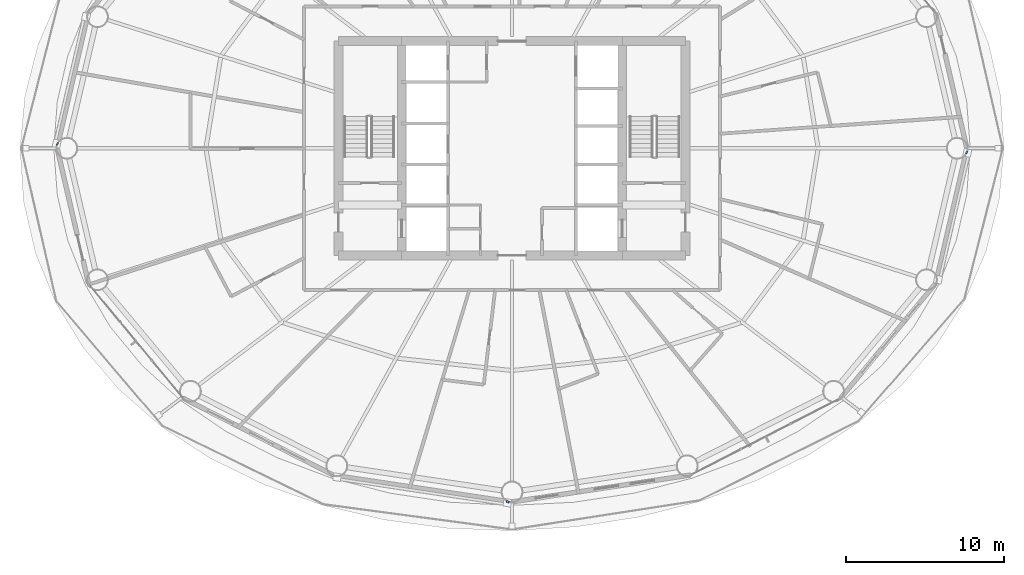
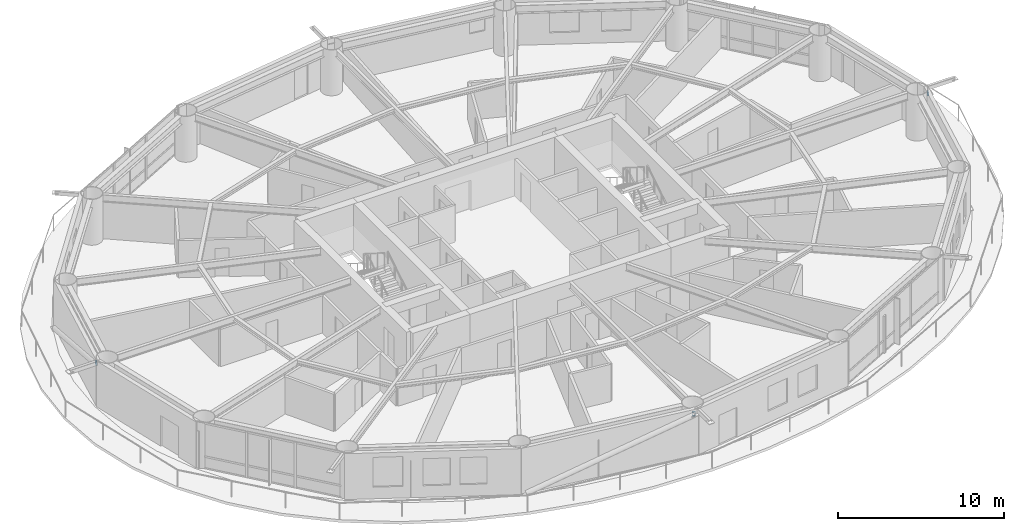
# One storey, part 13 of 24: 3 members.
"""IFC4 building model written with IfcOpenShell, lengths in metres."""

from ifc_helpers import new_model, si_unit, direction, frame, origin, origin_2d, place, context, subcontext, project, spatial, hollow_rectangle, extrude, material, material_profile, profile_set, type_object, element, save


model = new_model("IFC4")

# Units and contexts
model_context = context("Model", 3, precision=1e-05, world=origin(), true_north=direction((0.0, 1.0)))
body_context = subcontext(model_context, "Body", "Model", "MODEL_VIEW")
ifc_project = project(units=[si_unit("LENGTHUNIT", "METRE"), si_unit("AREAUNIT", "SQUARE_METRE"), si_unit("VOLUMEUNIT", "CUBIC_METRE"), si_unit("PLANEANGLEUNIT", "RADIAN"), si_unit("MASSUNIT", "GRAM", prefix="KILO")], contexts=[model_context])

# Site, building, storey
site_placement = place(None, origin())
site = spatial("IfcSite", under=ifc_project, at=site_placement, CompositionType="ELEMENT")
building_placement = place(site_placement, origin())
building = spatial("IfcBuilding", under=site, at=building_placement, Name="Sarneth Arch Tower", CompositionType="ELEMENT")
storey_placement = place(building_placement, frame((0.0, 0.0, 91.199951171875)))
storey = spatial("IfcBuildingStorey", under=building, at=storey_placement, Name="L22", CompositionType="ELEMENT", Elevation=91.199951171875)

# Members
ifc_material = material(Name="Steel S355", Category="steel")
ifc_material_profile = material_profile(ifc_material, hollow_rectangle(XDim=0.199951171875, YDim=0.300048828125, WallThickness=0.012451171875, InnerFilletRadius=0.018798828125, OuterFilletRadius=0.03125, at=origin_2d()), Name="RHS300x200x12.5")
ifc_profile_set = profile_set([ifc_material_profile], Name="Steel S355")
member_type = type_object("IfcMemberType", Name="MEM-CANT-STRUT", PredefinedType="STRUT", material=ifc_profile_set)
member_1_placement = place(storey_placement, frame((19.21044921875, 42.251708984375, 3.013427734375), z_axis=(-0.910281049829, 0.413990833621, 0.0), x_axis=(-0.413990833621, -0.910281049829, 0.0)))
element("IfcMember", 1, at=member_1_placement, inside=storey, type_object=member_type, Name="L22 Exoskeleton brace node strut 08B", PredefinedType="STRUT", context=body_context, shape_type="SweptSolid", body=[
    extrude(hollow_rectangle(XDim=0.199951171875, YDim=0.300048828125, WallThickness=0.012451171875, InnerFilletRadius=0.018798828125, OuterFilletRadius=0.03125, at=origin_2d()), origin(), (0.0, 0.0, 1.0), 0.097900390625),
])
member_2_placement = place(storey_placement, frame((47.7587890625, 19.642578125, 3.013427734375), z_axis=(-0.397509148639, -0.917598210955, 0.0), x_axis=(0.917598210955, -0.397509148639, 0.0)))
element("IfcMember", 2, at=member_2_placement, inside=storey, type_object=member_type, Name="L22 Exoskeleton brace node strut 12B", PredefinedType="STRUT", context=body_context, shape_type="SweptSolid", body=[
    extrude(hollow_rectangle(XDim=0.199951171875, YDim=0.300048828125, WallThickness=0.012451171875, InnerFilletRadius=0.018798828125, OuterFilletRadius=0.03125, at=origin_2d()), origin(), (0.0, 0.0, 1.0), 0.139404296875),
])
member_3_placement = place(storey_placement, frame((76.78955078125, 41.748291015625, 3.013427734375), z_axis=(0.910281049829, -0.413990833621, 0.0), x_axis=(0.413990833621, 0.910281049829, 0.0)))
element("IfcMember", 3, at=member_3_placement, inside=storey, type_object=member_type, Name="L22 Exoskeleton brace node strut 16B", PredefinedType="STRUT", context=body_context, shape_type="SweptSolid", body=[
    extrude(hollow_rectangle(XDim=0.199951171875, YDim=0.300048828125, WallThickness=0.012451171875, InnerFilletRadius=0.018798828125, OuterFilletRadius=0.03125, at=origin_2d()), origin(), (0.0, 0.0, 1.0), 0.097900390625),
])

save(model, "model.ifc")
